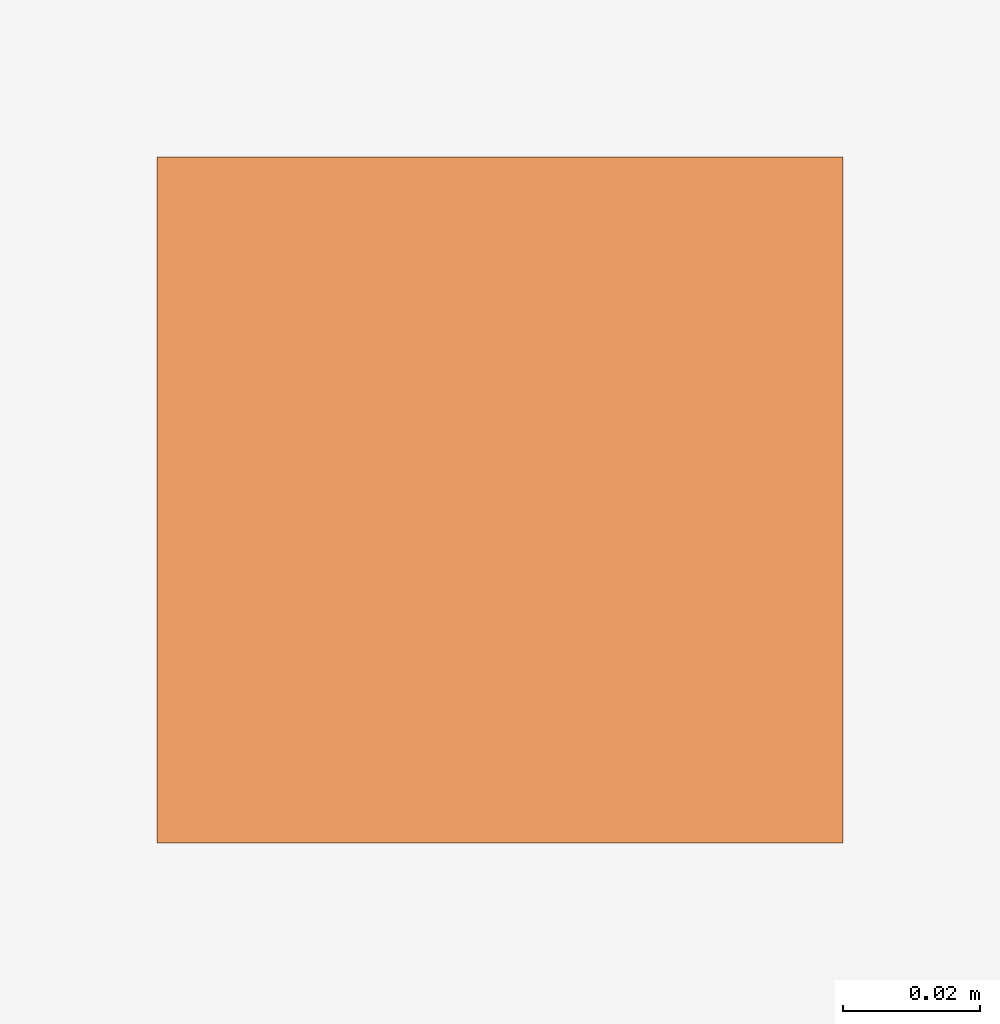
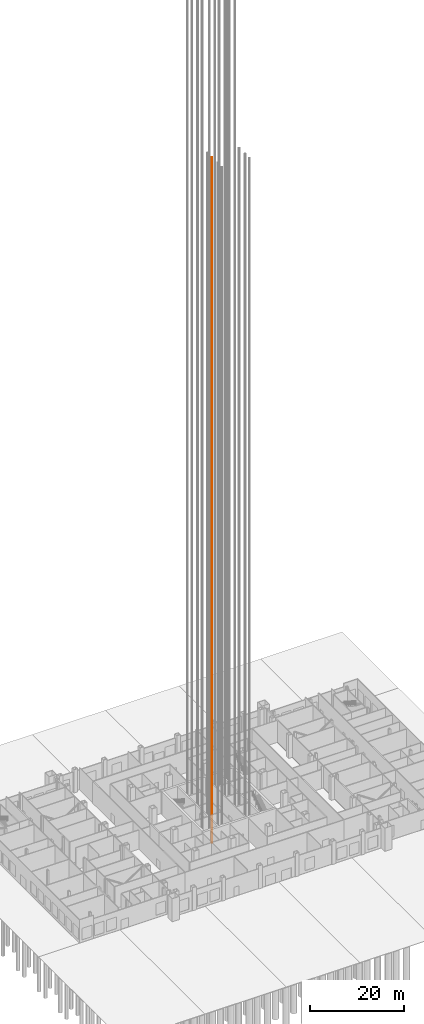
# One storey, part 21 of 36: 1 proxy.
"""IFC4 building model written with IfcOpenShell, lengths in metres."""

from ifc_helpers import new_model, si_unit, direction, frame, origin, origin_2d, place, context, subcontext, project, spatial, rectangle, extrude, material, type_object, element, save


model = new_model("IFC4")

# Units and contexts
model_context = context("Model", 3, precision=1e-05, world=origin(), true_north=direction((0.0, 1.0)))
body_context = subcontext(model_context, "Body", "Model", "MODEL_VIEW")
ifc_project = project(units=[si_unit("LENGTHUNIT", "METRE"), si_unit("AREAUNIT", "SQUARE_METRE"), si_unit("VOLUMEUNIT", "CUBIC_METRE"), si_unit("PLANEANGLEUNIT", "RADIAN"), si_unit("MASSUNIT", "GRAM", prefix="KILO")], contexts=[model_context])

# Site, building, storey
site_placement = place(None, origin())
site = spatial("IfcSite", under=ifc_project, at=site_placement, CompositionType="ELEMENT")
building_placement = place(site_placement, origin())
building = spatial("IfcBuilding", under=site, at=building_placement, Name="Malebo Sky Hospital", CompositionType="ELEMENT")
storey_placement = place(building_placement, origin())
storey = spatial("IfcBuildingStorey", under=building, at=storey_placement, Name="L00", CompositionType="ELEMENT", Elevation=0.0)

# Proxy
ifc_material = material(Name="Steel S355", Category="steel")
building_element_proxy_type = type_object("IfcBuildingElementProxyType", Name="LIFT GUIDE RAIL 100", PredefinedType="USERDEFINED", material=ifc_material)
proxy_placement = place(storey_placement, frame((56.64990234375, 58.97509765625, 0.0)))
element("IfcBuildingElementProxy", 1, at=proxy_placement, inside=storey, type_object=building_element_proxy_type, Name="Lift W2 guide rail 1", ObjectType="LIFT GUIDE RAIL", PredefinedType="USERDEFINED", context=body_context, shape_type="SweptSolid", body=[
    extrude(rectangle(XDim=0.10009765625, YDim=0.10009765625, at=origin_2d()), frame((0.0, 0.0, -2.25)), (0.0, 0.0, 1.0), 177.75),
])

save(model, "model.ifc")
